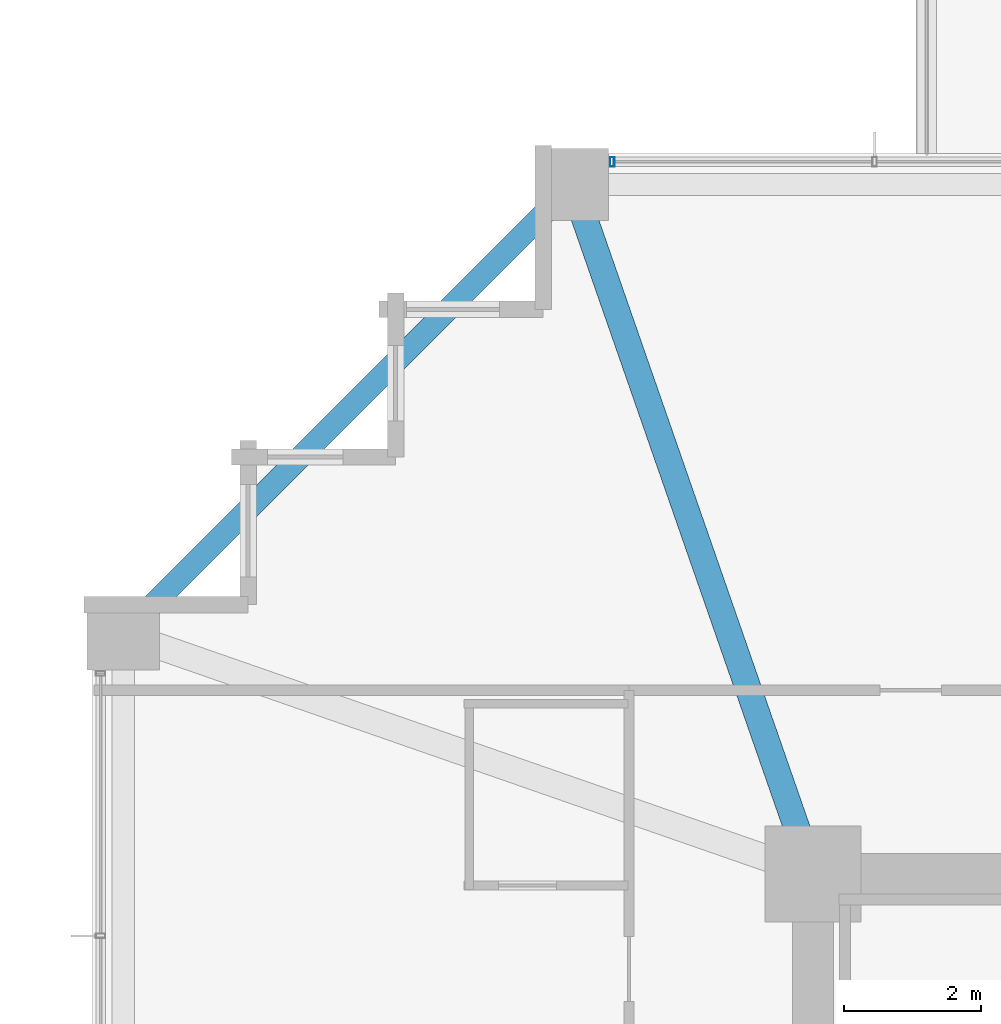
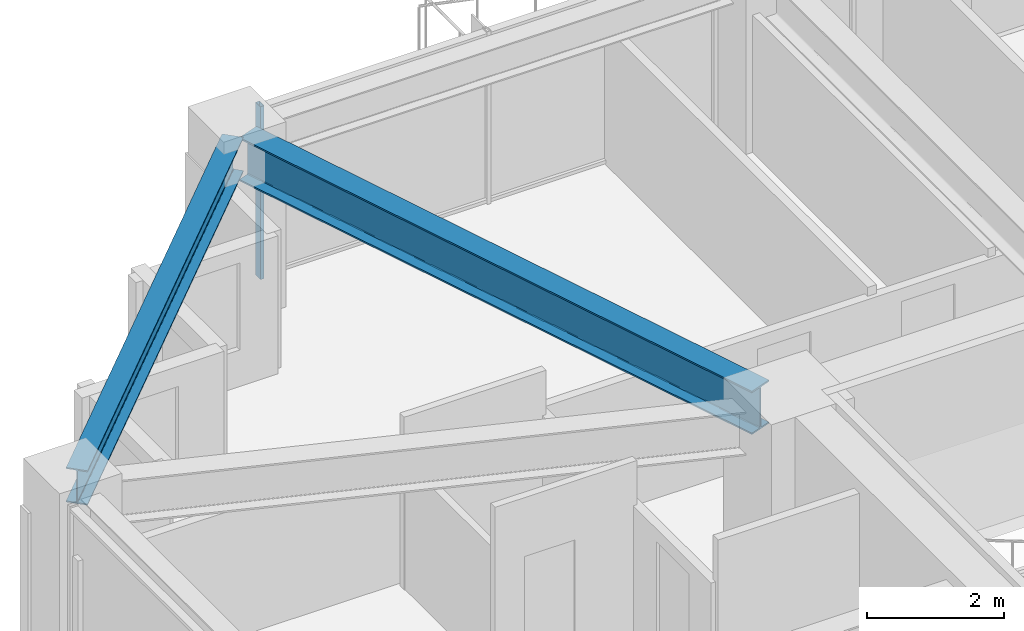
# One storey, part 19 of 38: 2 beams, 1 member, 1 element without a shape of its own.
"""IFC4 building model written with IfcOpenShell, lengths in metres."""

from ifc_helpers import new_model, si_unit, direction, frame, origin, origin_2d, place, context, subcontext, project, spatial, hollow_rectangle, i_section, extrude, material, material_profile, profile_set, type_object, element, aggregate, save


model = new_model("IFC4")

# Units and contexts
model_context = context("Model", 3, precision=1e-05, world=origin(), true_north=direction((0.0, 1.0)))
body_context = subcontext(model_context, "Body", "Model", "MODEL_VIEW")
ifc_project = project(units=[si_unit("LENGTHUNIT", "METRE"), si_unit("AREAUNIT", "SQUARE_METRE"), si_unit("VOLUMEUNIT", "CUBIC_METRE"), si_unit("PLANEANGLEUNIT", "RADIAN"), si_unit("MASSUNIT", "GRAM", prefix="KILO")], contexts=[model_context])

# Site, building, storey
site_placement = place(None, origin())
site = spatial("IfcSite", under=ifc_project, at=site_placement, CompositionType="ELEMENT")
building_placement = place(site_placement, origin())
building = spatial("IfcBuilding", under=site, at=building_placement, Name="Kolvaren Belvedere", CompositionType="ELEMENT")
storey_placement = place(building_placement, frame((0.0, 0.0, 78.800048828125)))
storey = spatial("IfcBuildingStorey", under=building, at=storey_placement, Name="L22", CompositionType="ELEMENT", Elevation=78.800048828125)

# Beams
ifc_material_1 = material(Name="Structural steel ASTM A992 Grade 50", Category="steel")
ifc_material_profile_1 = material_profile(ifc_material_1, i_section(OverallWidth=0.381103515625, OverallDepth=0.77294921875, WebThickness=0.0166015625, FlangeThickness=0.027099609375, FilletRadius=0.02392578125, at=origin_2d()), Name="W30X173")
ifc_profile_set_1 = profile_set([ifc_material_profile_1], Name="Structural steel ASTM A992 Grade 50")
beam_type_1 = type_object("IfcBeamType", Name="BM-GIRD-W30X173", PredefinedType="BEAM", material=ifc_profile_set_1)
beam_1_placement = place(storey_placement, frame((-10.080810546875, 10.41943359375, 2.693359375), z_axis=(-0.328880894453, 0.944371408538, 0.0), x_axis=(-0.944371408538, -0.328880894453, 0.0)))
element("IfcBeam", 1, at=beam_1_placement, inside=storey, type_object=beam_type_1, Name="L22 Corner Core-to-Perimeter Girder CC4-N1", PredefinedType="BEAM", context=body_context, shape_type="SweptSolid", body=[
    extrude(i_section(OverallWidth=0.381103515625, OverallDepth=0.77294921875, WebThickness=0.0166015625, FlangeThickness=0.027099609375, FilletRadius=0.02392578125, at=origin_2d()), origin(), (0.0, 0.0, 1.0), 9.882080078125),
])
ifc_material_2 = material(Name="Structural steel ASTM A992 Grade 50", Category="steel")
ifc_material_profile_2 = material_profile(ifc_material_2, i_section(OverallWidth=0.324951171875, OverallDepth=0.615966796875, WebThickness=0.013916015625, FlangeThickness=0.021484375, FilletRadius=0.02001953125, at=origin_2d()), Name="W24X117")
ifc_profile_set_2 = profile_set([ifc_material_profile_2], Name="Structural steel ASTM A992 Grade 50")
beam_type_2 = type_object("IfcBeamType", Name="BM-SPAN-W24X117", PredefinedType="SPANDREL", material=ifc_profile_set_2)
beam_2_placement = place(storey_placement, frame((-13.567138671875, 19.782958984375, 2.77197265625), z_axis=(-0.707106781187, -0.707106781187, 0.0), x_axis=(0.707106781187, -0.707106781187, 0.0)))
element("IfcBeam", 2, at=beam_2_placement, inside=storey, type_object=beam_type_2, Name="L22 Perimeter Spandrel N1-W4", PredefinedType="SPANDREL", context=body_context, shape_type="SweptSolid", body=[
    extrude(i_section(OverallWidth=0.324951171875, OverallDepth=0.615966796875, WebThickness=0.013916015625, FlangeThickness=0.021484375, FilletRadius=0.02001953125, at=origin_2d()), origin(), (0.0, 0.0, 1.0), 8.79052734375),
])

# Curtain wall, member
ifc_material_3 = material(Name="Anodised pale-metal aluminium AA 6063-T6", Category="aluminium")
curtain_wall_type = type_object("IfcCurtainWallType", Name="CW-Z2-MID", PredefinedType="NOTDEFINED", material=ifc_material_3)
curtain_wall_placement = place(storey_placement, origin())
curtain_wall = element("IfcCurtainWall", 3, at=curtain_wall_placement, inside=storey, type_object=curtain_wall_type, Name="L22 Unitised Curtain Wall FCW-L22-N1-B1", PredefinedType="NOTDEFINED")
ifc_material_4 = material(Name="Anodised pale-metal aluminium AA 6063-T6", Category="aluminium")
ifc_material_profile_3 = material_profile(ifc_material_4, hollow_rectangle(XDim=0.06494140625, YDim=0.139892578125, WallThickness=0.00390625, at=origin_2d()), Name="ALU-MUL-140X65")
ifc_profile_set_3 = profile_set([ifc_material_profile_3], Name="Anodised pale-metal aluminium AA 6063-T6")
member_type = type_object("IfcMemberType", Name="CW-MUL-140", PredefinedType="MULLION", material=ifc_profile_set_3)
member_placement = place(storey_placement, frame((-12.822509765625, 20.280029296875, 0.0), z_axis=(0.0, 0.0, 1.0), x_axis=(1.0, 0.0, 0.0)))
member = element("IfcMember", 4, at=member_placement, type_object=member_type, Name="FCW-L22-N1-B1 Unitised Mullion 1", PredefinedType="MULLION", context=body_context, shape_type="SweptSolid", body=[
    extrude(hollow_rectangle(XDim=0.06494140625, YDim=0.139892578125, WallThickness=0.00390625, at=origin_2d()), origin(), (0.0, 0.0, 1.0), 3.079833984375),
])
aggregate(curtain_wall, [member])

save(model, "model.ifc")
